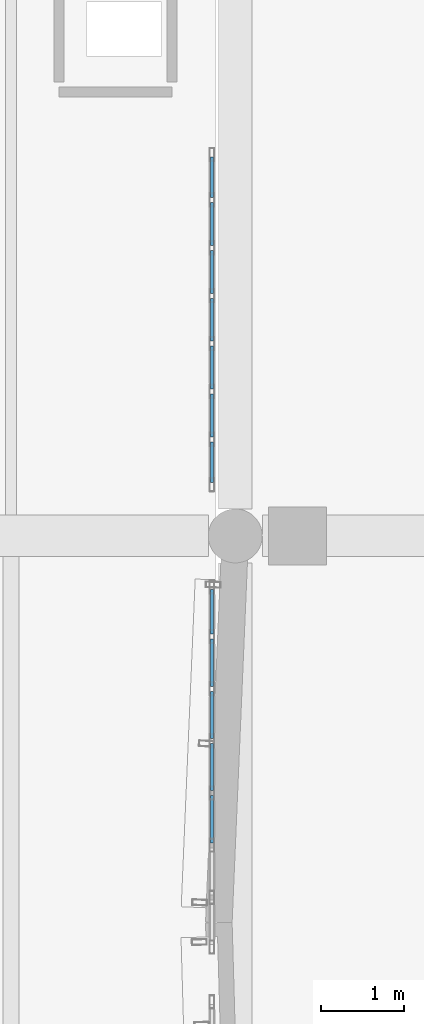
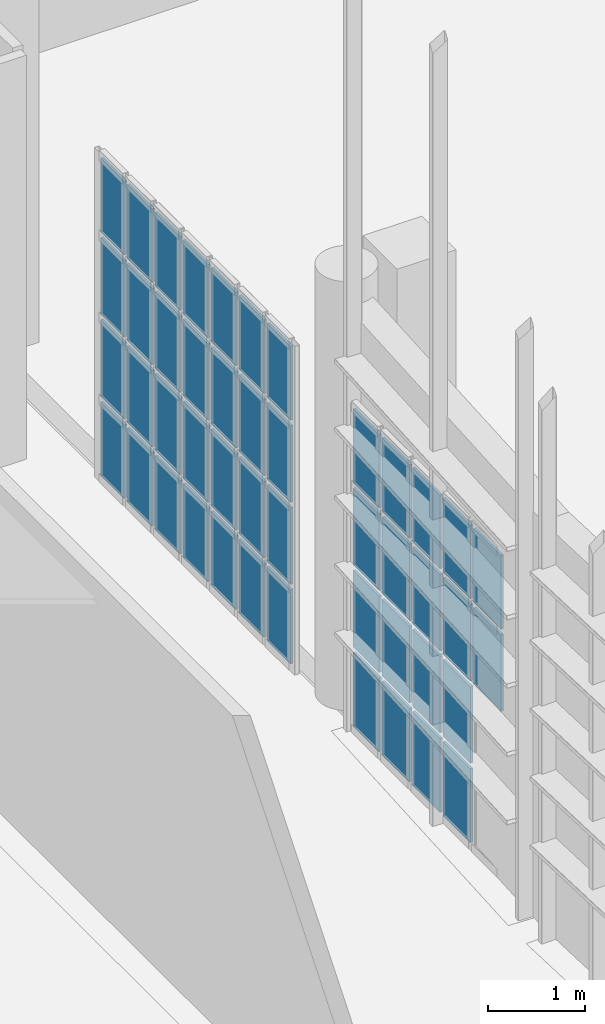
# One storey, part 335 of 372: 46 plates, 2 elements without a shape of their own.
"""IFC4 building model written with IfcOpenShell, lengths in metres."""

from ifc_helpers import new_model, si_unit, direction, frame, origin, origin_2d, place, context, subcontext, project, spatial, rectangle, extrude, material, layer, layer_set, type_object, element, aggregate, save


model = new_model("IFC4")

# Units and contexts
model_context = context("Model", 3, precision=1e-05, world=origin(), true_north=direction((0.0, 1.0)))
body_context = subcontext(model_context, "Body", "Model", "MODEL_VIEW")
ifc_project = project(units=[si_unit("LENGTHUNIT", "METRE"), si_unit("AREAUNIT", "SQUARE_METRE"), si_unit("VOLUMEUNIT", "CUBIC_METRE"), si_unit("PLANEANGLEUNIT", "RADIAN"), si_unit("MASSUNIT", "GRAM", prefix="KILO")], contexts=[model_context])

# Site, building, storey
site_placement = place(None, origin())
site = spatial("IfcSite", under=ifc_project, at=site_placement, CompositionType="ELEMENT")
building_placement = place(site_placement, origin())
building = spatial("IfcBuilding", under=site, at=building_placement, Name="Kaelora Sail Theatre", CompositionType="ELEMENT")
storey_placement = place(building_placement, origin())
storey = spatial("IfcBuildingStorey", under=building, at=storey_placement, Name="L00", CompositionType="ELEMENT", Elevation=0.0)

# Curtain wall, plates
ifc_material_1 = material(Name="Anodised aluminium and solar-control low-E IGU", Category="aluminium")
curtain_wall_type = type_object("IfcCurtainWallType", Name="ARC-CW-CW-FOY2", PredefinedType="NOTDEFINED", material=ifc_material_1)
curtain_wall_1_placement = place(storey_placement, origin())
curtain_wall_1 = element("IfcCurtainWall", 1, at=curtain_wall_1_placement, inside=storey, type_object=curtain_wall_type, Name="East Interstitial Foyer East Glazed Return L00-03", PredefinedType="NOTDEFINED")
ifc_material_2 = material(Name="Solar-control laminated low-E glass", Category="glass")
ifc_layer = layer(ifc_material_2, 0.031982421875)
ifc_layer_set = layer_set([ifc_layer], Name="Solar-control laminated low-E glass")
plate_type = type_object("IfcPlateType", Name="ARC-CW-PNL", PredefinedType="CURTAIN_PANEL", material=ifc_layer_set)
plate_1_placement = place(storey_placement, frame((122.719970703125, 50.169677734375, 2.103515625), z_axis=(0.0, 0.0, 1.0), x_axis=(0.0, 1.0, 0.0)))
plate_1 = element("IfcPlate", 2, at=plate_1_placement, type_object=plate_type, Name="CW-FOY2 panel 3.3", PredefinedType="CURTAIN_PANEL", context=body_context, shape_type="SweptSolid", body=[
    extrude(rectangle(XDim=0.56787109375, YDim=0.031982421875, at=origin_2d()), origin(), (0.0, 0.0, 1.0), 0.964111328125),
])
plate_2_placement = place(storey_placement, frame((122.719970703125, 50.169677734375, 3.1376953125), z_axis=(0.0, 0.0, 1.0), x_axis=(0.0, 1.0, 0.0)))
plate_2 = element("IfcPlate", 3, at=plate_2_placement, type_object=plate_type, Name="CW-FOY2 panel 3.4", PredefinedType="CURTAIN_PANEL", context=body_context, shape_type="SweptSolid", body=[
    extrude(rectangle(XDim=0.56787109375, YDim=0.031982421875, at=origin_2d()), origin(), (0.0, 0.0, 1.0), 0.92919921875),
])
plate_3_placement = place(storey_placement, frame((122.719970703125, 50.797607421875, 0.070068359375), z_axis=(0.0, 0.0, 1.0), x_axis=(0.0, 1.0, 0.0)))
plate_3 = element("IfcPlate", 4, at=plate_3_placement, type_object=plate_type, Name="CW-FOY2 panel 4.1", PredefinedType="CURTAIN_PANEL", context=body_context, shape_type="SweptSolid", body=[
    extrude(rectangle(XDim=0.56787109375, YDim=0.031982421875, at=origin_2d()), origin(), (0.0, 0.0, 1.0), 0.92919921875),
])
plate_4_placement = place(storey_placement, frame((122.719970703125, 50.797607421875, 1.069091796875), z_axis=(0.0, 0.0, 1.0), x_axis=(0.0, 1.0, 0.0)))
plate_4 = element("IfcPlate", 5, at=plate_4_placement, type_object=plate_type, Name="CW-FOY2 panel 4.2", PredefinedType="CURTAIN_PANEL", context=body_context, shape_type="SweptSolid", body=[
    extrude(rectangle(XDim=0.56787109375, YDim=0.031982421875, at=origin_2d()), origin(), (0.0, 0.0, 1.0), 0.96435546875),
])
plate_5_placement = place(storey_placement, frame((122.719970703125, 50.797607421875, 2.103515625), z_axis=(0.0, 0.0, 1.0), x_axis=(0.0, 1.0, 0.0)))
plate_5 = element("IfcPlate", 6, at=plate_5_placement, type_object=plate_type, Name="CW-FOY2 panel 4.3", PredefinedType="CURTAIN_PANEL", context=body_context, shape_type="SweptSolid", body=[
    extrude(rectangle(XDim=0.56787109375, YDim=0.031982421875, at=origin_2d()), origin(), (0.0, 0.0, 1.0), 0.964111328125),
])
plate_6_placement = place(storey_placement, frame((122.719970703125, 50.797607421875, 3.1376953125), z_axis=(0.0, 0.0, 1.0), x_axis=(0.0, 1.0, 0.0)))
plate_6 = element("IfcPlate", 7, at=plate_6_placement, type_object=plate_type, Name="CW-FOY2 panel 4.4", PredefinedType="CURTAIN_PANEL", context=body_context, shape_type="SweptSolid", body=[
    extrude(rectangle(XDim=0.56787109375, YDim=0.031982421875, at=origin_2d()), origin(), (0.0, 0.0, 1.0), 0.92919921875),
])
plate_7_placement = place(storey_placement, frame((122.719970703125, 51.42529296875, 0.070068359375), z_axis=(0.0, 0.0, 1.0), x_axis=(0.0, 1.0, 0.0)))
plate_7 = element("IfcPlate", 8, at=plate_7_placement, type_object=plate_type, Name="CW-FOY2 panel 5.1", PredefinedType="CURTAIN_PANEL", context=body_context, shape_type="SweptSolid", body=[
    extrude(rectangle(XDim=0.56787109375, YDim=0.031982421875, at=origin_2d()), origin(), (0.0, 0.0, 1.0), 0.92919921875),
])
plate_8_placement = place(storey_placement, frame((122.719970703125, 51.42529296875, 1.069091796875), z_axis=(0.0, 0.0, 1.0), x_axis=(0.0, 1.0, 0.0)))
plate_8 = element("IfcPlate", 9, at=plate_8_placement, type_object=plate_type, Name="CW-FOY2 panel 5.2", PredefinedType="CURTAIN_PANEL", context=body_context, shape_type="SweptSolid", body=[
    extrude(rectangle(XDim=0.56787109375, YDim=0.031982421875, at=origin_2d()), origin(), (0.0, 0.0, 1.0), 0.96435546875),
])
plate_9_placement = place(storey_placement, frame((122.719970703125, 51.42529296875, 2.103515625), z_axis=(0.0, 0.0, 1.0), x_axis=(0.0, 1.0, 0.0)))
plate_9 = element("IfcPlate", 10, at=plate_9_placement, type_object=plate_type, Name="CW-FOY2 panel 5.3", PredefinedType="CURTAIN_PANEL", context=body_context, shape_type="SweptSolid", body=[
    extrude(rectangle(XDim=0.56787109375, YDim=0.031982421875, at=origin_2d()), origin(), (0.0, 0.0, 1.0), 0.964111328125),
])
plate_10_placement = place(storey_placement, frame((122.719970703125, 51.42529296875, 3.1376953125), z_axis=(0.0, 0.0, 1.0), x_axis=(0.0, 1.0, 0.0)))
plate_10 = element("IfcPlate", 11, at=plate_10_placement, type_object=plate_type, Name="CW-FOY2 panel 5.4", PredefinedType="CURTAIN_PANEL", context=body_context, shape_type="SweptSolid", body=[
    extrude(rectangle(XDim=0.56787109375, YDim=0.031982421875, at=origin_2d()), origin(), (0.0, 0.0, 1.0), 0.92919921875),
])
plate_11_placement = place(storey_placement, frame((122.719970703125, 52.05322265625, 0.070068359375), z_axis=(0.0, 0.0, 1.0), x_axis=(0.0, 1.0, 0.0)))
plate_11 = element("IfcPlate", 12, at=plate_11_placement, type_object=plate_type, Name="CW-FOY2 panel 6.1", PredefinedType="CURTAIN_PANEL", context=body_context, shape_type="SweptSolid", body=[
    extrude(rectangle(XDim=0.56787109375, YDim=0.031982421875, at=origin_2d()), origin(), (0.0, 0.0, 1.0), 0.92919921875),
])
plate_12_placement = place(storey_placement, frame((122.719970703125, 52.05322265625, 1.069091796875), z_axis=(0.0, 0.0, 1.0), x_axis=(0.0, 1.0, 0.0)))
plate_12 = element("IfcPlate", 13, at=plate_12_placement, type_object=plate_type, Name="CW-FOY2 panel 6.2", PredefinedType="CURTAIN_PANEL", context=body_context, shape_type="SweptSolid", body=[
    extrude(rectangle(XDim=0.56787109375, YDim=0.031982421875, at=origin_2d()), origin(), (0.0, 0.0, 1.0), 0.96435546875),
])
plate_13_placement = place(storey_placement, frame((122.719970703125, 52.05322265625, 2.103515625), z_axis=(0.0, 0.0, 1.0), x_axis=(0.0, 1.0, 0.0)))
plate_13 = element("IfcPlate", 14, at=plate_13_placement, type_object=plate_type, Name="CW-FOY2 panel 6.3", PredefinedType="CURTAIN_PANEL", context=body_context, shape_type="SweptSolid", body=[
    extrude(rectangle(XDim=0.56787109375, YDim=0.031982421875, at=origin_2d()), origin(), (0.0, 0.0, 1.0), 0.964111328125),
])
plate_14_placement = place(storey_placement, frame((122.719970703125, 52.05322265625, 3.1376953125), z_axis=(0.0, 0.0, 1.0), x_axis=(0.0, 1.0, 0.0)))
plate_14 = element("IfcPlate", 15, at=plate_14_placement, type_object=plate_type, Name="CW-FOY2 panel 6.4", PredefinedType="CURTAIN_PANEL", context=body_context, shape_type="SweptSolid", body=[
    extrude(rectangle(XDim=0.56787109375, YDim=0.031982421875, at=origin_2d()), origin(), (0.0, 0.0, 1.0), 0.92919921875),
])
plate_15_placement = place(storey_placement, frame((122.719970703125, 52.666015625, 0.070068359375), z_axis=(0.0, 0.0, 1.0), x_axis=(0.0, 1.0, 0.0)))
plate_15 = element("IfcPlate", 16, at=plate_15_placement, type_object=plate_type, Name="CW-FOY2 panel 7.1", PredefinedType="CURTAIN_PANEL", context=body_context, shape_type="SweptSolid", body=[
    extrude(rectangle(XDim=0.537841796875, YDim=0.031982421875, at=origin_2d()), origin(), (0.0, 0.0, 1.0), 0.92919921875),
])
plate_16_placement = place(storey_placement, frame((122.719970703125, 52.666015625, 1.069091796875), z_axis=(0.0, 0.0, 1.0), x_axis=(0.0, 1.0, 0.0)))
plate_16 = element("IfcPlate", 17, at=plate_16_placement, type_object=plate_type, Name="CW-FOY2 panel 7.2", PredefinedType="CURTAIN_PANEL", context=body_context, shape_type="SweptSolid", body=[
    extrude(rectangle(XDim=0.537841796875, YDim=0.031982421875, at=origin_2d()), origin(), (0.0, 0.0, 1.0), 0.96435546875),
])
plate_17_placement = place(storey_placement, frame((122.719970703125, 52.666015625, 2.103515625), z_axis=(0.0, 0.0, 1.0), x_axis=(0.0, 1.0, 0.0)))
plate_17 = element("IfcPlate", 18, at=plate_17_placement, type_object=plate_type, Name="CW-FOY2 panel 7.3", PredefinedType="CURTAIN_PANEL", context=body_context, shape_type="SweptSolid", body=[
    extrude(rectangle(XDim=0.537841796875, YDim=0.031982421875, at=origin_2d()), origin(), (0.0, 0.0, 1.0), 0.964111328125),
])
plate_18_placement = place(storey_placement, frame((122.719970703125, 52.666015625, 3.1376953125), z_axis=(0.0, 0.0, 1.0), x_axis=(0.0, 1.0, 0.0)))
plate_18 = element("IfcPlate", 19, at=plate_18_placement, type_object=plate_type, Name="CW-FOY2 panel 7.4", PredefinedType="CURTAIN_PANEL", context=body_context, shape_type="SweptSolid", body=[
    extrude(rectangle(XDim=0.537841796875, YDim=0.031982421875, at=origin_2d()), origin(), (0.0, 0.0, 1.0), 0.92919921875),
])
aggregate(curtain_wall_1, [plate_1, plate_2, plate_3, plate_4, plate_5, plate_6, plate_7, plate_8, plate_9, plate_10, plate_11, plate_12, plate_13, plate_14, plate_15, plate_16, plate_17, plate_18])

curtain_wall_2_placement = place(storey_placement, origin())
curtain_wall_2 = element("IfcCurtainWall", 20, at=curtain_wall_2_placement, inside=storey, type_object=curtain_wall_type, Name="East Interstitial Foyer East Glazed Return L00-04", PredefinedType="NOTDEFINED")
plate_19_placement = place(storey_placement, frame((122.719970703125, 54.46826171875, 0.070068359375), z_axis=(0.0, 0.0, 1.0), x_axis=(0.0, 1.0, 0.0)))
plate_19 = element("IfcPlate", 21, at=plate_19_placement, type_object=plate_type, Name="CW-FOY2 panel 1.1", PredefinedType="CURTAIN_PANEL", context=body_context, shape_type="SweptSolid", body=[
    extrude(rectangle(XDim=0.486328125, YDim=0.031982421875, at=origin_2d()), origin(), (0.0, 0.0, 1.0), 0.92919921875),
])
plate_20_placement = place(storey_placement, frame((122.719970703125, 54.46826171875, 1.069091796875), z_axis=(0.0, 0.0, 1.0), x_axis=(0.0, 1.0, 0.0)))
plate_20 = element("IfcPlate", 22, at=plate_20_placement, type_object=plate_type, Name="CW-FOY2 panel 1.2", PredefinedType="CURTAIN_PANEL", context=body_context, shape_type="SweptSolid", body=[
    extrude(rectangle(XDim=0.486328125, YDim=0.031982421875, at=origin_2d()), origin(), (0.0, 0.0, 1.0), 0.96435546875),
])
plate_21_placement = place(storey_placement, frame((122.719970703125, 54.46826171875, 2.103515625), z_axis=(0.0, 0.0, 1.0), x_axis=(0.0, 1.0, 0.0)))
plate_21 = element("IfcPlate", 23, at=plate_21_placement, type_object=plate_type, Name="CW-FOY2 panel 1.3", PredefinedType="CURTAIN_PANEL", context=body_context, shape_type="SweptSolid", body=[
    extrude(rectangle(XDim=0.486328125, YDim=0.031982421875, at=origin_2d()), origin(), (0.0, 0.0, 1.0), 0.964111328125),
])
plate_22_placement = place(storey_placement, frame((122.719970703125, 54.46826171875, 3.1376953125), z_axis=(0.0, 0.0, 1.0), x_axis=(0.0, 1.0, 0.0)))
plate_22 = element("IfcPlate", 24, at=plate_22_placement, type_object=plate_type, Name="CW-FOY2 panel 1.4", PredefinedType="CURTAIN_PANEL", context=body_context, shape_type="SweptSolid", body=[
    extrude(rectangle(XDim=0.486328125, YDim=0.031982421875, at=origin_2d()), origin(), (0.0, 0.0, 1.0), 0.92919921875),
])
plate_23_placement = place(storey_placement, frame((122.719970703125, 55.029541015625, 0.070068359375), z_axis=(0.0, 0.0, 1.0), x_axis=(0.0, 1.0, 0.0)))
plate_23 = element("IfcPlate", 25, at=plate_23_placement, type_object=plate_type, Name="CW-FOY2 panel 2.1", PredefinedType="CURTAIN_PANEL", context=body_context, shape_type="SweptSolid", body=[
    extrude(rectangle(XDim=0.516357421875, YDim=0.031982421875, at=origin_2d()), origin(), (0.0, 0.0, 1.0), 0.92919921875),
])
plate_24_placement = place(storey_placement, frame((122.719970703125, 55.029541015625, 1.069091796875), z_axis=(0.0, 0.0, 1.0), x_axis=(0.0, 1.0, 0.0)))
plate_24 = element("IfcPlate", 26, at=plate_24_placement, type_object=plate_type, Name="CW-FOY2 panel 2.2", PredefinedType="CURTAIN_PANEL", context=body_context, shape_type="SweptSolid", body=[
    extrude(rectangle(XDim=0.516357421875, YDim=0.031982421875, at=origin_2d()), origin(), (0.0, 0.0, 1.0), 0.96435546875),
])
plate_25_placement = place(storey_placement, frame((122.719970703125, 55.029541015625, 2.103515625), z_axis=(0.0, 0.0, 1.0), x_axis=(0.0, 1.0, 0.0)))
plate_25 = element("IfcPlate", 27, at=plate_25_placement, type_object=plate_type, Name="CW-FOY2 panel 2.3", PredefinedType="CURTAIN_PANEL", context=body_context, shape_type="SweptSolid", body=[
    extrude(rectangle(XDim=0.516357421875, YDim=0.031982421875, at=origin_2d()), origin(), (0.0, 0.0, 1.0), 0.964111328125),
])
plate_26_placement = place(storey_placement, frame((122.719970703125, 55.029541015625, 3.1376953125), z_axis=(0.0, 0.0, 1.0), x_axis=(0.0, 1.0, 0.0)))
plate_26 = element("IfcPlate", 28, at=plate_26_placement, type_object=plate_type, Name="CW-FOY2 panel 2.4", PredefinedType="CURTAIN_PANEL", context=body_context, shape_type="SweptSolid", body=[
    extrude(rectangle(XDim=0.516357421875, YDim=0.031982421875, at=origin_2d()), origin(), (0.0, 0.0, 1.0), 0.92919921875),
])
plate_27_placement = place(storey_placement, frame((122.719970703125, 55.60595703125, 0.070068359375), z_axis=(0.0, 0.0, 1.0), x_axis=(0.0, 1.0, 0.0)))
plate_27 = element("IfcPlate", 29, at=plate_27_placement, type_object=plate_type, Name="CW-FOY2 panel 3.1", PredefinedType="CURTAIN_PANEL", context=body_context, shape_type="SweptSolid", body=[
    extrude(rectangle(XDim=0.516357421875, YDim=0.031982421875, at=origin_2d()), origin(), (0.0, 0.0, 1.0), 0.92919921875),
])
plate_28_placement = place(storey_placement, frame((122.719970703125, 55.60595703125, 1.069091796875), z_axis=(0.0, 0.0, 1.0), x_axis=(0.0, 1.0, 0.0)))
plate_28 = element("IfcPlate", 30, at=plate_28_placement, type_object=plate_type, Name="CW-FOY2 panel 3.2", PredefinedType="CURTAIN_PANEL", context=body_context, shape_type="SweptSolid", body=[
    extrude(rectangle(XDim=0.516357421875, YDim=0.031982421875, at=origin_2d()), origin(), (0.0, 0.0, 1.0), 0.96435546875),
])
plate_29_placement = place(storey_placement, frame((122.719970703125, 55.60595703125, 2.103515625), z_axis=(0.0, 0.0, 1.0), x_axis=(0.0, 1.0, 0.0)))
plate_29 = element("IfcPlate", 31, at=plate_29_placement, type_object=plate_type, Name="CW-FOY2 panel 3.3", PredefinedType="CURTAIN_PANEL", context=body_context, shape_type="SweptSolid", body=[
    extrude(rectangle(XDim=0.516357421875, YDim=0.031982421875, at=origin_2d()), origin(), (0.0, 0.0, 1.0), 0.964111328125),
])
plate_30_placement = place(storey_placement, frame((122.719970703125, 55.60595703125, 3.1376953125), z_axis=(0.0, 0.0, 1.0), x_axis=(0.0, 1.0, 0.0)))
plate_30 = element("IfcPlate", 32, at=plate_30_placement, type_object=plate_type, Name="CW-FOY2 panel 3.4", PredefinedType="CURTAIN_PANEL", context=body_context, shape_type="SweptSolid", body=[
    extrude(rectangle(XDim=0.516357421875, YDim=0.031982421875, at=origin_2d()), origin(), (0.0, 0.0, 1.0), 0.92919921875),
])
plate_31_placement = place(storey_placement, frame((122.719970703125, 56.1826171875, 0.070068359375), z_axis=(0.0, 0.0, 1.0), x_axis=(0.0, 1.0, 0.0)))
plate_31 = element("IfcPlate", 33, at=plate_31_placement, type_object=plate_type, Name="CW-FOY2 panel 4.1", PredefinedType="CURTAIN_PANEL", context=body_context, shape_type="SweptSolid", body=[
    extrude(rectangle(XDim=0.516357421875, YDim=0.031982421875, at=origin_2d()), origin(), (0.0, 0.0, 1.0), 0.92919921875),
])
plate_32_placement = place(storey_placement, frame((122.719970703125, 56.1826171875, 1.069091796875), z_axis=(0.0, 0.0, 1.0), x_axis=(0.0, 1.0, 0.0)))
plate_32 = element("IfcPlate", 34, at=plate_32_placement, type_object=plate_type, Name="CW-FOY2 panel 4.2", PredefinedType="CURTAIN_PANEL", context=body_context, shape_type="SweptSolid", body=[
    extrude(rectangle(XDim=0.516357421875, YDim=0.031982421875, at=origin_2d()), origin(), (0.0, 0.0, 1.0), 0.96435546875),
])
plate_33_placement = place(storey_placement, frame((122.719970703125, 56.1826171875, 2.103515625), z_axis=(0.0, 0.0, 1.0), x_axis=(0.0, 1.0, 0.0)))
plate_33 = element("IfcPlate", 35, at=plate_33_placement, type_object=plate_type, Name="CW-FOY2 panel 4.3", PredefinedType="CURTAIN_PANEL", context=body_context, shape_type="SweptSolid", body=[
    extrude(rectangle(XDim=0.516357421875, YDim=0.031982421875, at=origin_2d()), origin(), (0.0, 0.0, 1.0), 0.964111328125),
])
plate_34_placement = place(storey_placement, frame((122.719970703125, 56.1826171875, 3.1376953125), z_axis=(0.0, 0.0, 1.0), x_axis=(0.0, 1.0, 0.0)))
plate_34 = element("IfcPlate", 36, at=plate_34_placement, type_object=plate_type, Name="CW-FOY2 panel 4.4", PredefinedType="CURTAIN_PANEL", context=body_context, shape_type="SweptSolid", body=[
    extrude(rectangle(XDim=0.516357421875, YDim=0.031982421875, at=origin_2d()), origin(), (0.0, 0.0, 1.0), 0.92919921875),
])
plate_35_placement = place(storey_placement, frame((122.719970703125, 56.759033203125, 0.070068359375), z_axis=(0.0, 0.0, 1.0), x_axis=(0.0, 1.0, 0.0)))
plate_35 = element("IfcPlate", 37, at=plate_35_placement, type_object=plate_type, Name="CW-FOY2 panel 5.1", PredefinedType="CURTAIN_PANEL", context=body_context, shape_type="SweptSolid", body=[
    extrude(rectangle(XDim=0.516357421875, YDim=0.031982421875, at=origin_2d()), origin(), (0.0, 0.0, 1.0), 0.92919921875),
])
plate_36_placement = place(storey_placement, frame((122.719970703125, 56.759033203125, 1.069091796875), z_axis=(0.0, 0.0, 1.0), x_axis=(0.0, 1.0, 0.0)))
plate_36 = element("IfcPlate", 38, at=plate_36_placement, type_object=plate_type, Name="CW-FOY2 panel 5.2", PredefinedType="CURTAIN_PANEL", context=body_context, shape_type="SweptSolid", body=[
    extrude(rectangle(XDim=0.516357421875, YDim=0.031982421875, at=origin_2d()), origin(), (0.0, 0.0, 1.0), 0.96435546875),
])
plate_37_placement = place(storey_placement, frame((122.719970703125, 56.759033203125, 2.103515625), z_axis=(0.0, 0.0, 1.0), x_axis=(0.0, 1.0, 0.0)))
plate_37 = element("IfcPlate", 39, at=plate_37_placement, type_object=plate_type, Name="CW-FOY2 panel 5.3", PredefinedType="CURTAIN_PANEL", context=body_context, shape_type="SweptSolid", body=[
    extrude(rectangle(XDim=0.516357421875, YDim=0.031982421875, at=origin_2d()), origin(), (0.0, 0.0, 1.0), 0.964111328125),
])
plate_38_placement = place(storey_placement, frame((122.719970703125, 56.759033203125, 3.1376953125), z_axis=(0.0, 0.0, 1.0), x_axis=(0.0, 1.0, 0.0)))
plate_38 = element("IfcPlate", 40, at=plate_38_placement, type_object=plate_type, Name="CW-FOY2 panel 5.4", PredefinedType="CURTAIN_PANEL", context=body_context, shape_type="SweptSolid", body=[
    extrude(rectangle(XDim=0.516357421875, YDim=0.031982421875, at=origin_2d()), origin(), (0.0, 0.0, 1.0), 0.92919921875),
])
plate_39_placement = place(storey_placement, frame((122.719970703125, 57.33544921875, 0.070068359375), z_axis=(0.0, 0.0, 1.0), x_axis=(0.0, 1.0, 0.0)))
plate_39 = element("IfcPlate", 41, at=plate_39_placement, type_object=plate_type, Name="CW-FOY2 panel 6.1", PredefinedType="CURTAIN_PANEL", context=body_context, shape_type="SweptSolid", body=[
    extrude(rectangle(XDim=0.516357421875, YDim=0.031982421875, at=origin_2d()), origin(), (0.0, 0.0, 1.0), 0.92919921875),
])
plate_40_placement = place(storey_placement, frame((122.719970703125, 57.33544921875, 1.069091796875), z_axis=(0.0, 0.0, 1.0), x_axis=(0.0, 1.0, 0.0)))
plate_40 = element("IfcPlate", 42, at=plate_40_placement, type_object=plate_type, Name="CW-FOY2 panel 6.2", PredefinedType="CURTAIN_PANEL", context=body_context, shape_type="SweptSolid", body=[
    extrude(rectangle(XDim=0.516357421875, YDim=0.031982421875, at=origin_2d()), origin(), (0.0, 0.0, 1.0), 0.96435546875),
])
plate_41_placement = place(storey_placement, frame((122.719970703125, 57.33544921875, 2.103515625), z_axis=(0.0, 0.0, 1.0), x_axis=(0.0, 1.0, 0.0)))
plate_41 = element("IfcPlate", 43, at=plate_41_placement, type_object=plate_type, Name="CW-FOY2 panel 6.3", PredefinedType="CURTAIN_PANEL", context=body_context, shape_type="SweptSolid", body=[
    extrude(rectangle(XDim=0.516357421875, YDim=0.031982421875, at=origin_2d()), origin(), (0.0, 0.0, 1.0), 0.964111328125),
])
plate_42_placement = place(storey_placement, frame((122.719970703125, 57.33544921875, 3.1376953125), z_axis=(0.0, 0.0, 1.0), x_axis=(0.0, 1.0, 0.0)))
plate_42 = element("IfcPlate", 44, at=plate_42_placement, type_object=plate_type, Name="CW-FOY2 panel 6.4", PredefinedType="CURTAIN_PANEL", context=body_context, shape_type="SweptSolid", body=[
    extrude(rectangle(XDim=0.516357421875, YDim=0.031982421875, at=origin_2d()), origin(), (0.0, 0.0, 1.0), 0.92919921875),
])
plate_43_placement = place(storey_placement, frame((122.719970703125, 57.896728515625, 0.070068359375), z_axis=(0.0, 0.0, 1.0), x_axis=(0.0, 1.0, 0.0)))
plate_43 = element("IfcPlate", 45, at=plate_43_placement, type_object=plate_type, Name="CW-FOY2 panel 7.1", PredefinedType="CURTAIN_PANEL", context=body_context, shape_type="SweptSolid", body=[
    extrude(rectangle(XDim=0.486328125, YDim=0.031982421875, at=origin_2d()), origin(), (0.0, 0.0, 1.0), 0.92919921875),
])
plate_44_placement = place(storey_placement, frame((122.719970703125, 57.896728515625, 1.069091796875), z_axis=(0.0, 0.0, 1.0), x_axis=(0.0, 1.0, 0.0)))
plate_44 = element("IfcPlate", 46, at=plate_44_placement, type_object=plate_type, Name="CW-FOY2 panel 7.2", PredefinedType="CURTAIN_PANEL", context=body_context, shape_type="SweptSolid", body=[
    extrude(rectangle(XDim=0.486328125, YDim=0.031982421875, at=origin_2d()), origin(), (0.0, 0.0, 1.0), 0.96435546875),
])
plate_45_placement = place(storey_placement, frame((122.719970703125, 57.896728515625, 2.103515625), z_axis=(0.0, 0.0, 1.0), x_axis=(0.0, 1.0, 0.0)))
plate_45 = element("IfcPlate", 47, at=plate_45_placement, type_object=plate_type, Name="CW-FOY2 panel 7.3", PredefinedType="CURTAIN_PANEL", context=body_context, shape_type="SweptSolid", body=[
    extrude(rectangle(XDim=0.486328125, YDim=0.031982421875, at=origin_2d()), origin(), (0.0, 0.0, 1.0), 0.964111328125),
])
plate_46_placement = place(storey_placement, frame((122.719970703125, 57.896728515625, 3.1376953125), z_axis=(0.0, 0.0, 1.0), x_axis=(0.0, 1.0, 0.0)))
plate_46 = element("IfcPlate", 48, at=plate_46_placement, type_object=plate_type, Name="CW-FOY2 panel 7.4", PredefinedType="CURTAIN_PANEL", context=body_context, shape_type="SweptSolid", body=[
    extrude(rectangle(XDim=0.486328125, YDim=0.031982421875, at=origin_2d()), origin(), (0.0, 0.0, 1.0), 0.92919921875),
])
aggregate(curtain_wall_2, [plate_19, plate_20, plate_21, plate_22, plate_23, plate_24, plate_25, plate_26, plate_27, plate_28, plate_29, plate_30, plate_31, plate_32, plate_33, plate_34, plate_35, plate_36, plate_37, plate_38, plate_39, plate_40, plate_41, plate_42, plate_43, plate_44, plate_45, plate_46])

save(model, "model.ifc")
